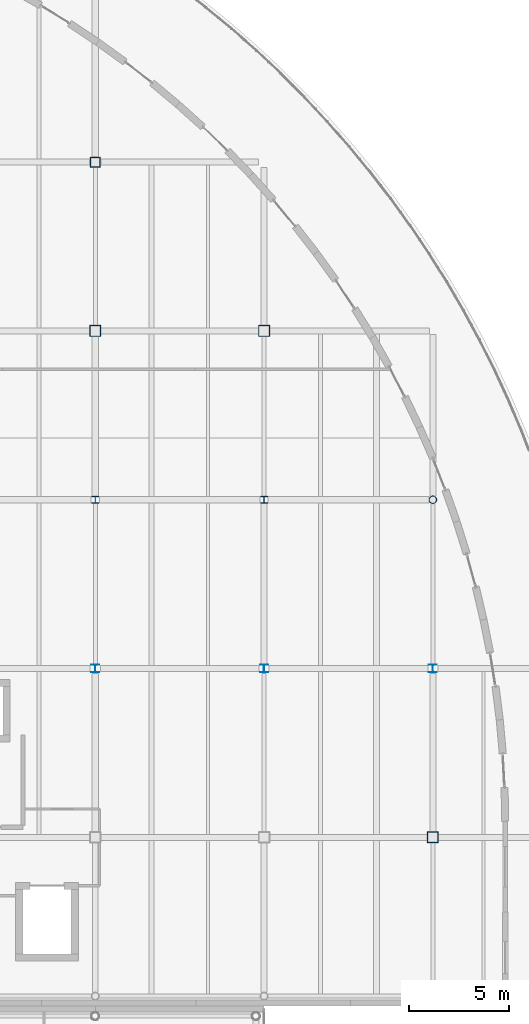
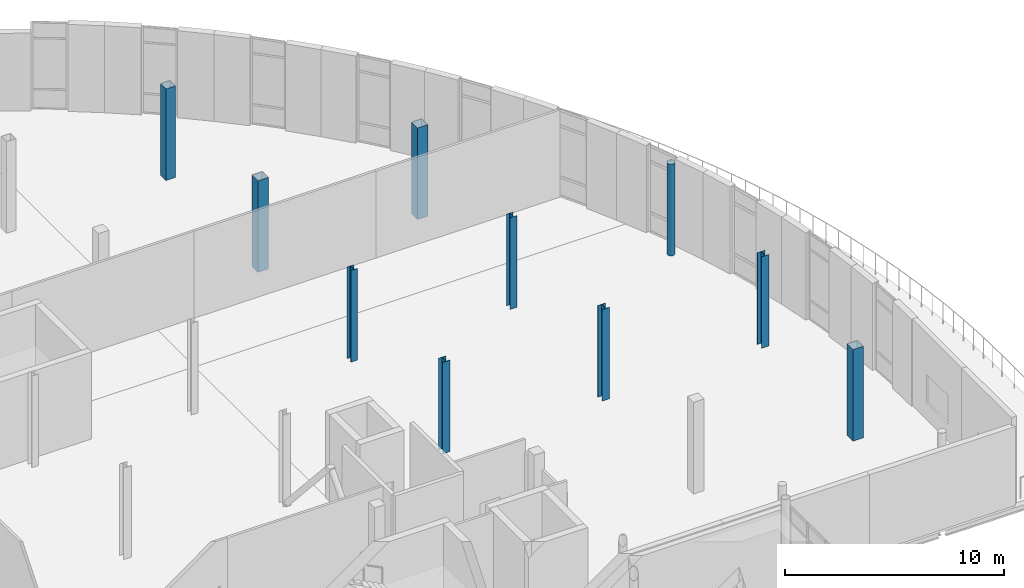
# One storey, part 11 of 103: 10 columns.
"""IFC4 building model written with IfcOpenShell, lengths in metres."""

from ifc_helpers import new_model, si_unit, direction, frame, origin, origin_2d, place, context, subcontext, project, spatial, hollow_rectangle, hollow_circle, i_section, extrude, material, material_profile, profile_set, type_object, element, save


model = new_model("IFC4")

# Units and contexts
model_context = context("Model", 3, precision=1e-05, world=origin(), true_north=direction((0.0, 1.0)))
body_context = subcontext(model_context, "Body", "Model", "MODEL_VIEW")
ifc_project = project(units=[si_unit("LENGTHUNIT", "METRE"), si_unit("AREAUNIT", "SQUARE_METRE"), si_unit("VOLUMEUNIT", "CUBIC_METRE"), si_unit("PLANEANGLEUNIT", "RADIAN"), si_unit("MASSUNIT", "GRAM", prefix="KILO"), si_unit("THERMODYNAMICTEMPERATUREUNIT", "KELVIN")], contexts=[model_context])

# Site, building, storey
site_placement = place(None, origin())
site = spatial("IfcSite", under=ifc_project, at=site_placement, CompositionType="ELEMENT")
building_placement = place(site_placement, origin())
building = spatial("IfcBuilding", under=site, at=building_placement, Name="Lustrewick Department Store", CompositionType="ELEMENT")
storey_placement = place(building_placement, frame((0.0, 0.0, 16.5)))
storey = spatial("IfcBuildingStorey", under=building, at=storey_placement, Name="L04", CompositionType="ELEMENT", Elevation=16.5)

# Columns
ifc_material_1 = material(Name="Structural steel Q355C", Category="steel")
ifc_material_profile_1 = material_profile(ifc_material_1, hollow_rectangle(XDim=0.550048828125, YDim=0.550048828125, WallThickness=0.02197265625, at=origin_2d()), Name="BOX 550x550x22")
ifc_profile_set_1 = profile_set([ifc_material_profile_1], Name="Structural steel Q355C")
column_type_1 = type_object("IfcColumnType", Name="C05", PredefinedType="COLUMN", material=ifc_profile_set_1)
for number, where, z_axis, x_axis, name in (
    (1, (142.800048828125, 84.0, 0.0), (0.0, 0.0, 1.0), (1.0, 0.0, 0.0), "L04 V4 Column C05"),
    (2, (151.199951171875, 84.0, 0.0), (0.0, 0.0, 1.0), (1.0, 0.0, 0.0), "L04 V4 Column C05"),
    (3, (159.60009765625, 58.800048828125, 0.0), (0.0, 0.0, 1.0), (1.0, 0.0, 0.0), "L04 V4 Column C05"),
):
    element("IfcColumn", number, at=place(storey_placement, frame(where, z_axis=z_axis, x_axis=x_axis)), inside=storey, type_object=column_type_1, Name=name, PredefinedType="COLUMN", context=body_context, shape_type="SweptSolid", body=[
        extrude(hollow_rectangle(XDim=0.550048828125, YDim=0.550048828125, WallThickness=0.02197265625, at=origin_2d()), origin(), (0.0, 0.0, 1.0), 5.10009765625),
    ])
ifc_material_2 = material(Name="Structural steel Q355B", Category="steel")
ifc_material_profile_2 = material_profile(ifc_material_2, hollow_rectangle(XDim=0.5, YDim=0.5, WallThickness=0.02001953125, at=origin_2d()), Name="BOX 500x500x20")
ifc_profile_set_2 = profile_set([ifc_material_profile_2], Name="Structural steel Q355B")
column_type_2 = type_object("IfcColumnType", Name="C06", PredefinedType="COLUMN", material=ifc_profile_set_2)
column_1_placement = place(storey_placement, frame((142.800048828125, 92.39990234375, 0.0), z_axis=(0.0, 0.0, 1.0), x_axis=(1.0, 0.0, 0.0)))
element("IfcColumn", 4, at=column_1_placement, inside=storey, type_object=column_type_2, Name="L04 V4 Column C06", PredefinedType="COLUMN", context=body_context, shape_type="SweptSolid", body=[
    extrude(hollow_rectangle(XDim=0.5, YDim=0.5, WallThickness=0.02001953125, at=origin_2d()), origin(), (0.0, 0.0, 1.0), 5.10009765625),
])
ifc_material_profile_3 = material_profile(ifc_material_2, i_section(OverallWidth=0.402099609375, OverallDepth=0.387939453125, WebThickness=0.014892578125, FlangeThickness=0.014892578125, FilletRadius=0.02197265625, at=origin_2d()), Name="HW 388x402x15x15")
ifc_profile_set_3 = profile_set([ifc_material_profile_3], Name="Structural steel Q355B")
column_type_3 = type_object("IfcColumnType", Name="C12", PredefinedType="COLUMN", material=ifc_profile_set_3)
for number, where, z_axis, x_axis, name in (
    (5, (142.800048828125, 67.199951171875, 0.0), (0.0, 0.0, 1.0), (1.0, 0.0, 0.0), "L04 V4 Column C12"),
    (6, (151.199951171875, 67.199951171875, 0.0), (0.0, 0.0, 1.0), (1.0, 0.0, 0.0), "L04 V4 Column C12"),
    (7, (159.60009765625, 67.199951171875, 0.0), (0.0, 0.0, 1.0), (1.0, 0.0, 0.0), "L04 V4 Column C12"),
):
    element("IfcColumn", number, at=place(storey_placement, frame(where, z_axis=z_axis, x_axis=x_axis)), inside=storey, type_object=column_type_3, Name=name, PredefinedType="COLUMN", context=body_context, shape_type="SweptSolid", body=[
        extrude(i_section(OverallWidth=0.402099609375, OverallDepth=0.387939453125, WebThickness=0.014892578125, FlangeThickness=0.014892578125, FilletRadius=0.02197265625, at=origin_2d()), origin(), (0.0, 0.0, 1.0), 5.10009765625),
    ])
ifc_material_profile_4 = material_profile(ifc_material_2, i_section(OverallWidth=0.35009765625, OverallDepth=0.35009765625, WebThickness=0.011962890625, FlangeThickness=0.01904296875, FilletRadius=0.02001953125, at=origin_2d()), Name="HW 350x350x12x19")
ifc_profile_set_4 = profile_set([ifc_material_profile_4], Name="Structural steel Q355B")
column_type_4 = type_object("IfcColumnType", Name="C13", PredefinedType="COLUMN", material=ifc_profile_set_4)
for number, where, z_axis, x_axis, name in (
    (8, (142.800048828125, 75.60009765625, 0.0), (0.0, 0.0, 1.0), (1.0, 0.0, 0.0), "L04 V4 Column C13"),
    (9, (151.199951171875, 75.60009765625, 0.0), (0.0, 0.0, 1.0), (1.0, 0.0, 0.0), "L04 V4 Column C13"),
):
    element("IfcColumn", number, at=place(storey_placement, frame(where, z_axis=z_axis, x_axis=x_axis)), inside=storey, type_object=column_type_4, Name=name, PredefinedType="COLUMN", context=body_context, shape_type="SweptSolid", body=[
        extrude(i_section(OverallWidth=0.35009765625, OverallDepth=0.35009765625, WebThickness=0.011962890625, FlangeThickness=0.01904296875, FilletRadius=0.02001953125, at=origin_2d()), origin(), (0.0, 0.0, 1.0), 5.10009765625),
    ])
ifc_material_profile_5 = material_profile(ifc_material_2, hollow_circle(Radius=0.1884765625, WallThickness=0.013916015625, at=origin_2d()), Name="CHS 377x14")
ifc_profile_set_5 = profile_set([ifc_material_profile_5], Name="Structural steel Q355B")
column_type_5 = type_object("IfcColumnType", Name="CE04", PredefinedType="COLUMN", material=ifc_profile_set_5)
column_2_placement = place(storey_placement, frame((159.60009765625, 75.60009765625, 0.0), z_axis=(0.0, 0.0, 1.0), x_axis=(1.0, 0.0, 0.0)))
element("IfcColumn", 10, at=column_2_placement, inside=storey, type_object=column_type_5, Name="L04 V4 Column CE04", PredefinedType="COLUMN", context=body_context, shape_type="SweptSolid", body=[
    extrude(hollow_circle(Radius=0.1884765625, WallThickness=0.013916015625, at=origin_2d()), origin(), (0.0, 0.0, 1.0), 5.10009765625),
])

save(model, "model.ifc")
